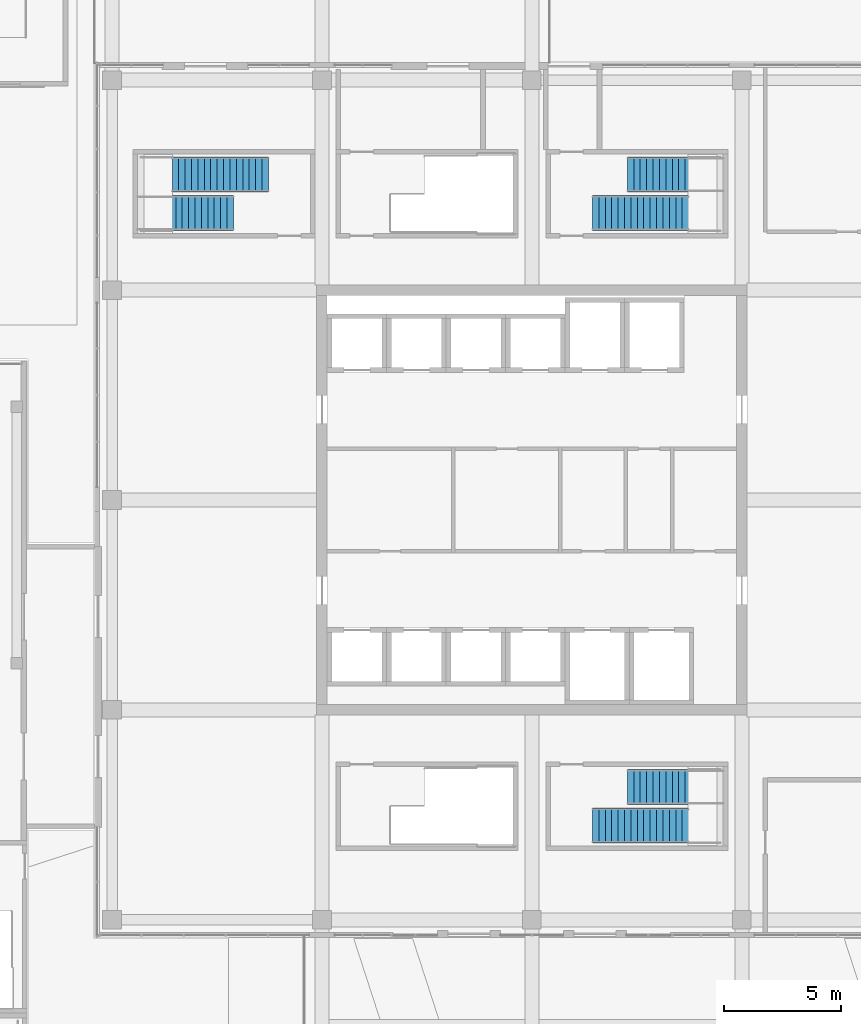
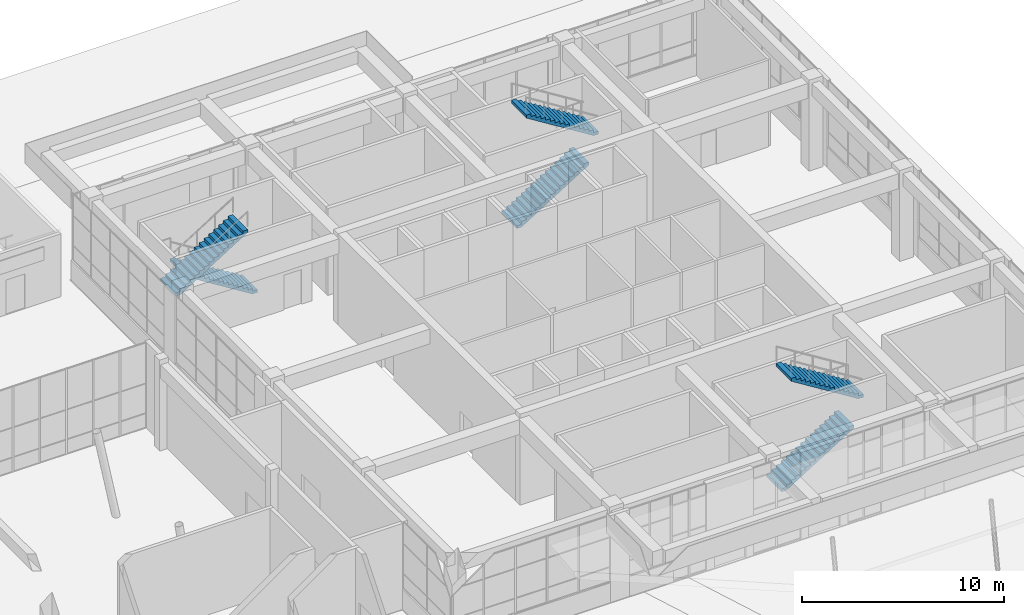
# One storey, part 60 of 72: 6 stair flights, 3 elements without a shape of their own.
"""IFC4 building model written with IfcOpenShell, lengths in metres."""

from ifc_helpers import new_model, si_unit, direction, frame, origin, place, context, subcontext, project, spatial, polyline, outline, extrude, material, type_object, element, aggregate, save


model = new_model("IFC4")

# Units and contexts
model_context = context("Model", 3, precision=1e-05, world=origin(), true_north=direction((0.0, 1.0)))
body_context = subcontext(model_context, "Body", "Model", "MODEL_VIEW")
ifc_project = project(units=[si_unit("LENGTHUNIT", "METRE"), si_unit("AREAUNIT", "SQUARE_METRE"), si_unit("VOLUMEUNIT", "CUBIC_METRE"), si_unit("PLANEANGLEUNIT", "RADIAN"), si_unit("MASSUNIT", "GRAM", prefix="KILO")], contexts=[model_context])

# Site, building, storey
site_placement = place(None, origin())
site = spatial("IfcSite", under=ifc_project, at=site_placement, CompositionType="ELEMENT")
building_placement = place(site_placement, origin())
building = spatial("IfcBuilding", under=site, at=building_placement, Name="Tuart Plaza Theatre", CompositionType="ELEMENT")
storey_placement = place(building_placement, origin())
storey = spatial("IfcBuildingStorey", under=building, at=storey_placement, Name="L00", CompositionType="ELEMENT", Elevation=0.0)

# Stair, stair flights
ifc_material_1 = material(Name="Concrete N40 (40 MPa)", Category="concrete")
stair_type = type_object("IfcStairType", Name="STAIR half turn 1500", PredefinedType="HALF_TURN_STAIR", material=ifc_material_1)
stair_1_placement = place(storey_placement, origin())
stair_1 = element("IfcStair", 1, at=stair_1_placement, inside=storey, type_object=stair_type, Name="SC-1", PredefinedType="HALF_TURN_STAIR")
ifc_material_2 = material(Name="Concrete N40 (40 MPa)", Category="concrete")
stair_flight_type = type_object("IfcStairFlightType", Name="STAIR FLIGHT 171.9 275 1500", PredefinedType="STRAIGHT", material=ifc_material_2)
stair_flight_1_placement = place(storey_placement, frame((134.594970703125, 60.050048828125, 0.0), z_axis=(0.0, 0.0, 1.0), x_axis=(1.0, 0.0, 0.0)))
stair_flight_1 = element("IfcStairFlight", 2, at=stair_flight_1_placement, type_object=stair_flight_type, Name="SC-1 flight 1", NumberOfRisers=16, NumberOfTreads=15, PredefinedType="STRAIGHT", RiserHeight=0.171875, TreadLength=0.275, context=body_context, shape_type="SweptSolid", body=[
    extrude(outline(polyline([(0.0, 0.0), (0.0, 0.171875), (0.27490234375, 0.171875), (0.27490234375, 0.34375), (0.550048828125, 0.34375), (0.550048828125, 0.515625), (0.824951171875, 0.515625), (0.824951171875, 0.6875), (1.10009765625, 0.6875), (1.10009765625, 0.859375), (1.375, 0.859375), (1.375, 1.03125), (1.64990234375, 1.03125), (1.64990234375, 1.203125), (1.925048828125, 1.203125), (1.925048828125, 1.375), (2.199951171875, 1.375), (2.199951171875, 1.546875), (2.47509765625, 1.546875), (2.47509765625, 1.71875), (2.75, 1.71875), (2.75, 1.890625), (3.02490234375, 1.890625), (3.02490234375, 2.0625), (3.300048828125, 2.0625), (3.300048828125, 2.234375), (3.574951171875, 2.234375), (3.574951171875, 2.40625), (3.85009765625, 2.40625), (3.85009765625, 2.578125), (4.125, 2.578125), (4.125, 2.75), (4.125, 2.4013671875), (0.28271484375, 0.0), (0.0, 0.0)])), frame((0.0, 0.75, 0.0), z_axis=(0.0, -1.0, 0.0), x_axis=(1.0, 0.0, 0.0)), (0.0, 0.0, 1.0), 1.5),
])
stair_flight_2_placement = place(storey_placement, frame((140.219970703125, 61.699951171875, 2.75), z_axis=(0.0, 0.0, 1.0), x_axis=(-1.0, 0.0, 0.0)))
stair_flight_2 = element("IfcStairFlight", 3, at=stair_flight_2_placement, type_object=stair_flight_type, Name="SC-1 flight 2", NumberOfRisers=16, NumberOfTreads=15, PredefinedType="STRAIGHT", RiserHeight=0.171875, TreadLength=0.275, context=body_context, shape_type="SweptSolid", body=[
    extrude(outline(polyline([(0.0, 0.0), (0.0, 0.171875), (0.27490234375, 0.171875), (0.27490234375, 0.34375), (0.550048828125, 0.34375), (0.550048828125, 0.515625), (0.824951171875, 0.515625), (0.824951171875, 0.6875), (1.10009765625, 0.6875), (1.10009765625, 0.859375), (1.375, 0.859375), (1.375, 1.03125), (1.64990234375, 1.03125), (1.64990234375, 1.203125), (1.925048828125, 1.203125), (1.925048828125, 1.375), (2.199951171875, 1.375), (2.199951171875, 1.546875), (2.47509765625, 1.546875), (2.47509765625, 1.71875), (2.75, 1.71875), (2.75, 1.890625), (3.02490234375, 1.890625), (3.02490234375, 2.0625), (3.300048828125, 2.0625), (3.300048828125, 2.234375), (3.574951171875, 2.234375), (3.574951171875, 2.40625), (3.85009765625, 2.40625), (3.85009765625, 2.578125), (4.125, 2.578125), (4.125, 2.75), (4.125, 2.4013671875), (0.28271484375, 0.0), (0.0, 0.0)])), frame((0.0, 0.75, 0.0), z_axis=(0.0, -1.0, 0.0), x_axis=(1.0, 0.0, 0.0)), (0.0, 0.0, 1.0), 1.5),
])
aggregate(stair_1, [stair_flight_1, stair_flight_2])

stair_2_placement = place(storey_placement, origin())
stair_2 = element("IfcStair", 4, at=stair_2_placement, inside=storey, type_object=stair_type, Name="SC-7", PredefinedType="HALF_TURN_STAIR")
stair_flight_3_placement = place(storey_placement, frame((134.594970703125, 86.300048828125, 0.0), z_axis=(0.0, 0.0, 1.0), x_axis=(1.0, 0.0, 0.0)))
stair_flight_3 = element("IfcStairFlight", 5, at=stair_flight_3_placement, type_object=stair_flight_type, Name="SC-7 flight 1", NumberOfRisers=16, NumberOfTreads=15, PredefinedType="STRAIGHT", RiserHeight=0.171875, TreadLength=0.275, context=body_context, shape_type="SweptSolid", body=[
    extrude(outline(polyline([(0.0, 0.0), (0.0, 0.171875), (0.27490234375, 0.171875), (0.27490234375, 0.34375), (0.550048828125, 0.34375), (0.550048828125, 0.515625), (0.824951171875, 0.515625), (0.824951171875, 0.6875), (1.10009765625, 0.6875), (1.10009765625, 0.859375), (1.375, 0.859375), (1.375, 1.03125), (1.64990234375, 1.03125), (1.64990234375, 1.203125), (1.925048828125, 1.203125), (1.925048828125, 1.375), (2.199951171875, 1.375), (2.199951171875, 1.546875), (2.47509765625, 1.546875), (2.47509765625, 1.71875), (2.75, 1.71875), (2.75, 1.890625), (3.02490234375, 1.890625), (3.02490234375, 2.0625), (3.300048828125, 2.0625), (3.300048828125, 2.234375), (3.574951171875, 2.234375), (3.574951171875, 2.40625), (3.85009765625, 2.40625), (3.85009765625, 2.578125), (4.125, 2.578125), (4.125, 2.75), (4.125, 2.4013671875), (0.28271484375, 0.0), (0.0, 0.0)])), frame((0.0, 0.75, 0.0), z_axis=(0.0, -1.0, 0.0), x_axis=(1.0, 0.0, 0.0)), (0.0, 0.0, 1.0), 1.5),
])
stair_flight_4_placement = place(storey_placement, frame((140.219970703125, 87.949951171875, 2.75), z_axis=(0.0, 0.0, 1.0), x_axis=(-1.0, 0.0, 0.0)))
stair_flight_4 = element("IfcStairFlight", 6, at=stair_flight_4_placement, type_object=stair_flight_type, Name="SC-7 flight 2", NumberOfRisers=16, NumberOfTreads=15, PredefinedType="STRAIGHT", RiserHeight=0.171875, TreadLength=0.275, context=body_context, shape_type="SweptSolid", body=[
    extrude(outline(polyline([(0.0, 0.0), (0.0, 0.171875), (0.27490234375, 0.171875), (0.27490234375, 0.34375), (0.550048828125, 0.34375), (0.550048828125, 0.515625), (0.824951171875, 0.515625), (0.824951171875, 0.6875), (1.10009765625, 0.6875), (1.10009765625, 0.859375), (1.375, 0.859375), (1.375, 1.03125), (1.64990234375, 1.03125), (1.64990234375, 1.203125), (1.925048828125, 1.203125), (1.925048828125, 1.375), (2.199951171875, 1.375), (2.199951171875, 1.546875), (2.47509765625, 1.546875), (2.47509765625, 1.71875), (2.75, 1.71875), (2.75, 1.890625), (3.02490234375, 1.890625), (3.02490234375, 2.0625), (3.300048828125, 2.0625), (3.300048828125, 2.234375), (3.574951171875, 2.234375), (3.574951171875, 2.40625), (3.85009765625, 2.40625), (3.85009765625, 2.578125), (4.125, 2.578125), (4.125, 2.75), (4.125, 2.4013671875), (0.28271484375, 0.0), (0.0, 0.0)])), frame((0.0, 0.75, 0.0), z_axis=(0.0, -1.0, 0.0), x_axis=(1.0, 0.0, 0.0)), (0.0, 0.0, 1.0), 1.5),
])
aggregate(stair_2, [stair_flight_3, stair_flight_4])

stair_3_placement = place(storey_placement, origin())
stair_3 = element("IfcStair", 7, at=stair_3_placement, inside=storey, type_object=stair_type, Name="SC-13", PredefinedType="HALF_TURN_STAIR")
stair_flight_5_placement = place(storey_placement, frame((120.705078125, 87.949951171875, 0.0), z_axis=(0.0, 0.0, 1.0), x_axis=(-1.0, 0.0, 0.0)))
stair_flight_5 = element("IfcStairFlight", 8, at=stair_flight_5_placement, type_object=stair_flight_type, Name="SC-13 flight 1", NumberOfRisers=16, NumberOfTreads=15, PredefinedType="STRAIGHT", RiserHeight=0.171875, TreadLength=0.275, context=body_context, shape_type="SweptSolid", body=[
    extrude(outline(polyline([(0.0, 0.0), (0.0, 0.171875), (0.27490234375, 0.171875), (0.27490234375, 0.34375), (0.550048828125, 0.34375), (0.550048828125, 0.515625), (0.824951171875, 0.515625), (0.824951171875, 0.6875), (1.10009765625, 0.6875), (1.10009765625, 0.859375), (1.375, 0.859375), (1.375, 1.03125), (1.64990234375, 1.03125), (1.64990234375, 1.203125), (1.925048828125, 1.203125), (1.925048828125, 1.375), (2.199951171875, 1.375), (2.199951171875, 1.546875), (2.47509765625, 1.546875), (2.47509765625, 1.71875), (2.75, 1.71875), (2.75, 1.890625), (3.02490234375, 1.890625), (3.02490234375, 2.0625), (3.300048828125, 2.0625), (3.300048828125, 2.234375), (3.574951171875, 2.234375), (3.574951171875, 2.40625), (3.85009765625, 2.40625), (3.85009765625, 2.578125), (4.125, 2.578125), (4.125, 2.75), (4.125, 2.4013671875), (0.28271484375, 0.0), (0.0, 0.0)])), frame((0.0, 0.75, 0.0), z_axis=(0.0, -1.0, 0.0), x_axis=(1.0, 0.0, 0.0)), (0.0, 0.0, 1.0), 1.5),
])
stair_flight_6_placement = place(storey_placement, frame((115.080078125, 86.300048828125, 2.75), z_axis=(0.0, 0.0, 1.0), x_axis=(1.0, 0.0, 0.0)))
stair_flight_6 = element("IfcStairFlight", 9, at=stair_flight_6_placement, type_object=stair_flight_type, Name="SC-13 flight 2", NumberOfRisers=16, NumberOfTreads=15, PredefinedType="STRAIGHT", RiserHeight=0.171875, TreadLength=0.275, context=body_context, shape_type="SweptSolid", body=[
    extrude(outline(polyline([(0.0, 0.0), (0.0, 0.171875), (0.27490234375, 0.171875), (0.27490234375, 0.34375), (0.550048828125, 0.34375), (0.550048828125, 0.515625), (0.824951171875, 0.515625), (0.824951171875, 0.6875), (1.10009765625, 0.6875), (1.10009765625, 0.859375), (1.375, 0.859375), (1.375, 1.03125), (1.64990234375, 1.03125), (1.64990234375, 1.203125), (1.925048828125, 1.203125), (1.925048828125, 1.375), (2.199951171875, 1.375), (2.199951171875, 1.546875), (2.47509765625, 1.546875), (2.47509765625, 1.71875), (2.75, 1.71875), (2.75, 1.890625), (3.02490234375, 1.890625), (3.02490234375, 2.0625), (3.300048828125, 2.0625), (3.300048828125, 2.234375), (3.574951171875, 2.234375), (3.574951171875, 2.40625), (3.85009765625, 2.40625), (3.85009765625, 2.578125), (4.125, 2.578125), (4.125, 2.75), (4.125, 2.4013671875), (0.28271484375, 0.0), (0.0, 0.0)])), frame((0.0, 0.75, 0.0), z_axis=(0.0, -1.0, 0.0), x_axis=(1.0, 0.0, 0.0)), (0.0, 0.0, 1.0), 1.5),
])
aggregate(stair_3, [stair_flight_5, stair_flight_6])

save(model, "model.ifc")
